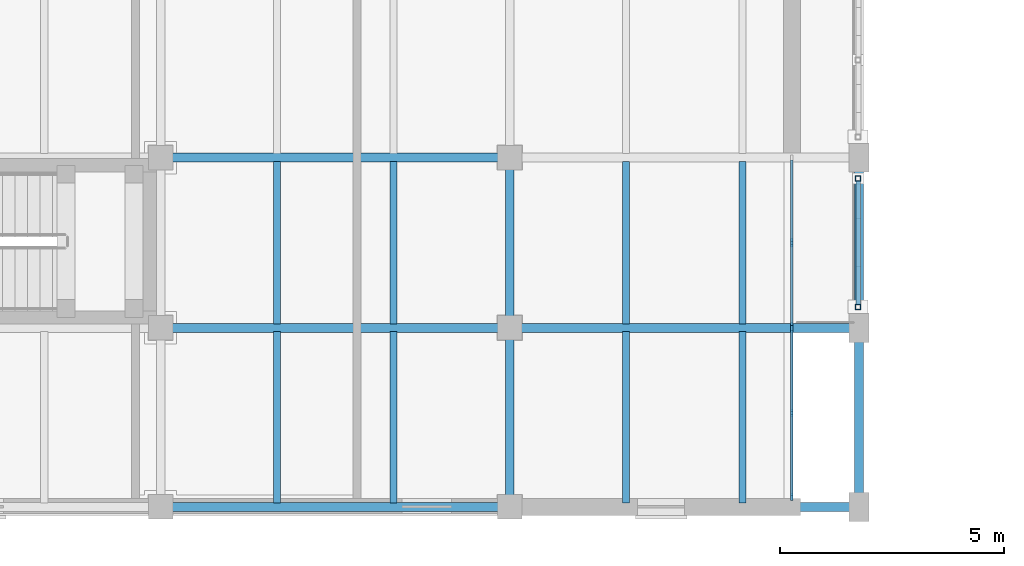
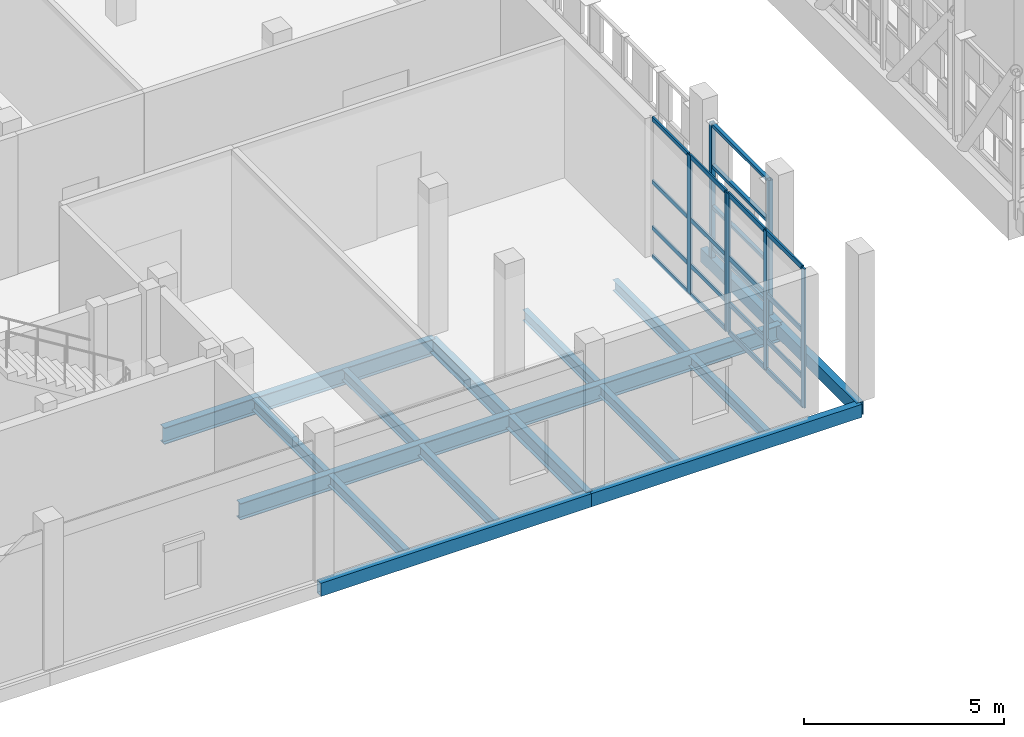
# One storey, part 20 of 119: 27 members, 17 beams, 2 elements without a shape of their own.
"""IFC4 building model written with IfcOpenShell, lengths in metres."""

import ifcopenshell
import ifcopenshell.guid

model = None  # the IFC model being written
_history = None  # IfcOwnerHistory: only IFC2X3 demands one
_inside = {}  # id of a spatial element -> (the spatial element, [elements in it])
_under = {}  # id of a project, library or spatial element -> (it, [spatial elements below it])
_declared = {}  # id of a project -> (the project, [libraries it declares])
_typed = {}  # id of a type object -> (the type object, [elements of that type])
_made_of = {}  # id of a material, layer set ... -> (it, [elements and type objects made of it])


def new_model(schema):
    """Start an empty IFC model of exactly this schema.

    Asked for "IFC4X3", IfcOpenShell would pick the latest addendum, in which some entities
    have other attributes; the version numbers below select the first issue.
    IFC2X3 requires an IfcOwnerHistory on every rooted entity: one is made here for all.
    """
    global model, _history
    if schema == "IFC4X3":
        model = ifcopenshell.file(schema_version=(4, 3, 0, 0))
    else:
        model = ifcopenshell.file(schema=schema)
    _inside.clear()
    _under.clear()
    _declared.clear()
    _typed.clear()
    _made_of.clear()
    _history = None
    if model.schema == "IFC2X3":
        org = make("IfcOrganization", Name="unknown")
        user = make(
            "IfcPersonAndOrganization",
            ThePerson=make("IfcPerson", FamilyName="unknown"),
            TheOrganization=org,
        )
        app = make(
            "IfcApplication",
            ApplicationDeveloper=org,
            Version="unknown",
            ApplicationFullName="unknown",
            ApplicationIdentifier="unknown",
        )
        _history = make(
            "IfcOwnerHistory",
            OwningUser=user,
            OwningApplication=app,
            ChangeAction="ADDED",
            CreationDate=0,
        )
    return model


def make(cls, **values):
    """One entity of the class cls with the attributes given. An attribute that is None is left unset."""
    return model.create_entity(
        cls, **{name: value for name, value in values.items() if value is not None}
    )


def rooted(cls, **values):
    """An entity with a GlobalId (a new one), such as an element, a storey or a relation."""
    return make(cls, GlobalId=ifcopenshell.guid.new(), OwnerHistory=_history, **values)


def si_unit(unit_type, name, prefix=None):
    """IfcSIUnit, for example si_unit("LENGTHUNIT", "METRE", prefix="MILLI")."""
    return make("IfcSIUnit", UnitType=unit_type, Prefix=prefix, Name=name)


def assignment(units):
    """IfcUnitAssignment: the units of a project."""
    return None if units is None else make("IfcUnitAssignment", Units=units)


def point(xyz):
    """IfcCartesianPoint."""
    return None if xyz is None else make("IfcCartesianPoint", Coordinates=xyz)


def direction(xyz):
    """IfcDirection."""
    return None if xyz is None else make("IfcDirection", DirectionRatios=xyz)


def frame(location, z_axis=None, x_axis=None):
    """IfcAxis2Placement3D, a coordinate frame: its origin and axes. An axis left out is left unset."""
    return make(
        "IfcAxis2Placement3D",
        Location=point(location),
        Axis=direction(z_axis),
        RefDirection=direction(x_axis),
    )


def frame_2d(location, x_axis=None):
    """IfcAxis2Placement2D, a coordinate frame in the plane: its origin and x axis."""
    return make(
        "IfcAxis2Placement2D", Location=point(location), RefDirection=direction(x_axis)
    )


def origin():
    """The frame at (0, 0, 0) with its axes left unset."""
    return frame((0.0, 0.0, 0.0))


def origin_2d():
    """The frame at (0, 0) in the plane with its x axis left unset."""
    return frame_2d((0.0, 0.0))


def place(relative_to, where):
    """IfcLocalPlacement: puts the frame where relative to a parent placement (None: the world)."""
    return make(
        "IfcLocalPlacement", PlacementRelTo=relative_to, RelativePlacement=where
    )


def context(
    kind, dimensions, precision=None, world=None, true_north=None, identifier=None
):
    """IfcGeometricRepresentationContext, for example the 3D "Model" context."""
    return make(
        "IfcGeometricRepresentationContext",
        ContextIdentifier=identifier,
        ContextType=kind,
        CoordinateSpaceDimension=dimensions,
        Precision=precision,
        WorldCoordinateSystem=world,
        TrueNorth=true_north,
    )


def subcontext(parent, identifier, kind, view, scale=None):
    """IfcGeometricRepresentationSubContext, for example "Body" below "Model"."""
    return make(
        "IfcGeometricRepresentationSubContext",
        ContextIdentifier=identifier,
        ContextType=kind,
        ParentContext=parent,
        TargetScale=scale,
        TargetView=view,
    )


def project(units=None, contexts=None):
    """IfcProject with its units and contexts."""
    return rooted(
        "IfcProject",
        Name="project",
        RepresentationContexts=contexts,
        UnitsInContext=assignment(units),
    )


def spatial(cls, under=None, at=None, **own):
    """A site, building, storey or space (cls), placed at a placement, below another one or the project."""
    s = rooted(cls, ObjectPlacement=at, **own)
    if under is not None:
        _under.setdefault(under.id(), (under, []))[1].append(s)
    return s


def profile(cls, at=None, kind="AREA", **sizes):
    """A parametric profile (cls). Its sizes go by their IFC names, for example OverallWidth=200.0."""
    return make(cls, ProfileType=kind, Position=at, **sizes)


def rectangle(**sizes):
    """IfcRectangleProfileDef."""
    return profile("IfcRectangleProfileDef", **sizes)


def hollow_rectangle(**sizes):
    """IfcRectangleHollowProfileDef."""
    return profile("IfcRectangleHollowProfileDef", **sizes)


def i_section(**sizes):
    """IfcIShapeProfileDef."""
    return profile("IfcIShapeProfileDef", **sizes)


def extrude(swept, where, along, depth):
    """IfcExtrudedAreaSolid: the profile swept, set in the frame where, extruded along a direction by depth."""
    return make(
        "IfcExtrudedAreaSolid",
        SweptArea=swept,
        Position=where,
        ExtrudedDirection=direction(along),
        Depth=depth,
    )


def shape(context_of_items, identifier, shape_type, items):
    """IfcShapeRepresentation: the items that make up one representation, for example the "Body"."""
    return make(
        "IfcShapeRepresentation",
        ContextOfItems=context_of_items,
        RepresentationIdentifier=identifier,
        RepresentationType=shape_type,
        Items=items,
    )


def material(Name=None, Category=None):
    """IfcMaterial."""
    return make("IfcMaterial", Name=Name, Category=Category)


def layer(
    of_material, thickness, ventilated=None, Name=None, Category=None, Priority=None
):
    """IfcMaterialLayer: one layer of a wall or slab, of a material (None: an air gap)."""
    return make(
        "IfcMaterialLayer",
        Material=of_material,
        LayerThickness=thickness,
        IsVentilated=ventilated,
        Name=Name,
        Category=Category,
        Priority=Priority,
    )


def layer_set(layers, Name=None):
    """IfcMaterialLayerSet."""
    return make("IfcMaterialLayerSet", MaterialLayers=layers, LayerSetName=Name)


def material_profile(
    of_material, cross_section, Name=None, Category=None, Priority=None
):
    """IfcMaterialProfile: a cross section and its material."""
    return make(
        "IfcMaterialProfile",
        Name=Name,
        Material=of_material,
        Profile=cross_section,
        Priority=Priority,
        Category=Category,
    )


def profile_set(profiles, Name=None, composite=None):
    """IfcMaterialProfileSet."""
    return make(
        "IfcMaterialProfileSet",
        Name=Name,
        MaterialProfiles=profiles,
        CompositeProfile=composite,
    )


def made_of(thing, what):
    """Note that an element or type object is made of a material, layer set ...; save() writes the relation."""
    if what is not None:
        _made_of.setdefault(what.id(), (what, []))[1].append(thing)
    return thing


def type_object(cls, material=None, **own):
    """A type object (cls), such as IfcWallType, which elements share."""
    return made_of(rooted(cls, **own), material)


def element(
    cls,
    number,
    at=None,
    inside=None,
    cuts=None,
    type_object=None,
    material=None,
    context=None,
    identifier="Body",
    shape_type=None,
    held_by="IfcProductDefinitionShape",
    body=None,
    shapes=None,
    **own,
):
    """One element of the class cls, such as IfcWall. Its Tag is "e" and its number.

    at: its placement. inside: the storey or other place that contains it. cuts: it is an
    opening in that element (IfcRelVoidsElement). A single representation is given by context,
    identifier, shape_type and body (its items); several are given by shapes. held_by: the class
    of the entity that holds the representations. save() writes the other relations.
    """
    e = rooted(cls, Tag="e%d" % number, ObjectPlacement=at, **own)
    if body is not None:
        shapes = [shape(context, identifier, shape_type, body)]
    if shapes is not None:
        e.Representation = make(held_by, Representations=shapes)
    if inside is not None:
        _inside.setdefault(inside.id(), (inside, []))[1].append(e)
    if cuts is not None:
        rooted(
            "IfcRelVoidsElement", RelatingBuildingElement=cuts, RelatedOpeningElement=e
        )
    if type_object is not None:
        _typed.setdefault(type_object.id(), (type_object, []))[1].append(e)
    return made_of(e, material)


def aggregate(whole, parts):
    """IfcRelAggregates: a whole, such as a stair, and the parts it consists of."""
    return rooted("IfcRelAggregates", RelatingObject=whole, RelatedObjects=parts)


def save(model, path):
    """Write the relations noted so far, then the file.

    IfcRelAggregates (storeys below a building ...), IfcRelContainedInSpatialStructure (elements
    in a storey), IfcRelDefinesByType, IfcRelAssociatesMaterial and IfcRelDeclares: one each for
    every whole, place, type object, material and project.
    """
    for whole, parts in _under.values():
        aggregate(whole, parts)
    for where, things in _inside.values():
        rooted(
            "IfcRelContainedInSpatialStructure",
            RelatedElements=things,
            RelatingStructure=where,
        )
    for kind, things in _typed.values():
        rooted("IfcRelDefinesByType", RelatedObjects=things, RelatingType=kind)
    for what, things in _made_of.values():
        rooted("IfcRelAssociatesMaterial", RelatedObjects=things, RelatingMaterial=what)
    for by, libraries in _declared.values():
        rooted("IfcRelDeclares", RelatingContext=by, RelatedDefinitions=libraries)
    model.write(path)


model = new_model("IFC4")

# Units and contexts
model_context = context("Model", 3, precision=1e-05, world=origin(), true_north=direction((0.0, 1.0)))
body_context = subcontext(model_context, "Body", "Model", "MODEL_VIEW")
ifc_project = project(units=[si_unit("LENGTHUNIT", "METRE"), si_unit("AREAUNIT", "SQUARE_METRE"), si_unit("VOLUMEUNIT", "CUBIC_METRE"), si_unit("PLANEANGLEUNIT", "RADIAN"), si_unit("MASSUNIT", "GRAM", prefix="KILO")], contexts=[model_context])

# Site, building, storey
site_placement = place(None, origin())
site = spatial("IfcSite", under=ifc_project, at=site_placement, CompositionType="ELEMENT")
building_placement = place(site_placement, origin())
building = spatial("IfcBuilding", under=site, at=building_placement, Name="Celorna Specialist Clinic", CompositionType="ELEMENT")
storey_placement = place(building_placement, frame((0.0, 0.0, 9.60009765625)))
storey = spatial("IfcBuildingStorey", under=building, at=storey_placement, Name="L02", CompositionType="ELEMENT", Elevation=9.60009765625)

# Beams
ifc_material_1 = material(Name="Steel S355", Category="steel")
ifc_material_profile_1 = material_profile(ifc_material_1, i_section(OverallWidth=0.199951171875, OverallDepth=0.5, WebThickness=0.01025390625, FlangeThickness=0.01611328125, at=origin_2d()), Name="IPE 500")
ifc_profile_set_1 = profile_set([ifc_material_profile_1], Name="Steel S355")
beam_type_1 = type_object("IfcBeamType", Name="BM-08", PredefinedType="BEAM", material=ifc_profile_set_1)
for number, where, z_axis, x_axis, name in (
    (1, (31.199951171875, 4.0, -0.510009765625), (1.0, 0.0, 0.0), (0.0, 1.0, 0.0), "Primary girder BM-08 #1714"),
    (2, (39.0, 4.0, -0.510009765625), (1.0, 0.0, 0.0), (0.0, 1.0, 0.0), "Primary girder BM-08 #1715"),
    (3, (31.199951171875, 7.800048828125, -0.510009765625), (1.0, 0.0, 0.0), (0.0, 1.0, 0.0), "Primary girder BM-08 #1720"),
):
    element("IfcBeam", number, at=place(storey_placement, frame(where, z_axis=z_axis, x_axis=x_axis)), inside=storey, type_object=beam_type_1, Name=name, PredefinedType="BEAM", context=body_context, shape_type="SweptSolid", body=[
        extrude(i_section(OverallWidth=0.199951171875, OverallDepth=0.5, WebThickness=0.01025390625, FlangeThickness=0.01611328125, at=origin_2d()), origin(), (0.0, 0.0, 1.0), 7.800048828125),
    ])
ifc_material_profile_2 = material_profile(ifc_material_1, i_section(OverallWidth=0.18994140625, OverallDepth=0.449951171875, WebThickness=0.009521484375, FlangeThickness=0.0146484375, at=origin_2d()), Name="IPE 450")
ifc_profile_set_2 = profile_set([ifc_material_profile_2], Name="Steel S355")
beam_type_2 = type_object("IfcBeamType", Name="BM-09", PredefinedType="BEAM", material=ifc_profile_set_2)
beam_1_placement = place(storey_placement, frame((39.0, 0.0, -0.485107421875), z_axis=(0.0, 1.0, 0.0), x_axis=(-1.0, 0.0, 0.0)))
element("IfcBeam", 4, at=beam_1_placement, inside=storey, type_object=beam_type_2, Name="Transverse girder BM-09 #1764", PredefinedType="BEAM", context=body_context, shape_type="SweptSolid", body=[
    extrude(i_section(OverallWidth=0.18994140625, OverallDepth=0.449951171875, WebThickness=0.009521484375, FlangeThickness=0.0146484375, at=origin_2d()), origin(), (0.0, 0.0, 1.0), 4.0),
])
beam_2_placement = place(storey_placement, frame((39.0, 4.0, -0.485107421875), z_axis=(0.0, 1.0, 0.0), x_axis=(-1.0, 0.0, 0.0)))
element("IfcBeam", 5, at=beam_2_placement, inside=storey, type_object=beam_type_2, Name="Transverse girder BM-09 #1765", PredefinedType="BEAM", context=body_context, shape_type="SweptSolid", body=[
    extrude(i_section(OverallWidth=0.18994140625, OverallDepth=0.449951171875, WebThickness=0.009521484375, FlangeThickness=0.0146484375, at=origin_2d()), origin(), (0.0, 0.0, 1.0), 3.800048828125),
])
ifc_material_profile_3 = material_profile(ifc_material_1, i_section(OverallWidth=0.159912109375, OverallDepth=0.330078125, WebThickness=0.007568359375, FlangeThickness=0.011474609375, at=origin_2d()), Name="IPE 330")
ifc_profile_set_3 = profile_set([ifc_material_profile_3], Name="Steel S355")
beam_type_3 = type_object("IfcBeamType", Name="BM-12", PredefinedType="JOIST", material=ifc_profile_set_3)
for number, where, z_axis, x_axis, name in (
    (6, (33.800048828125, 0.087890625, -0.425048828125), (0.0, 1.0, 0.0), (-1.0, 0.0, 0.0), "Secondary floor joist BM-12 #1805"),
    (7, (36.39990234375, 0.087890625, -0.425048828125), (0.0, 1.0, 0.0), (-1.0, 0.0, 0.0), "Secondary floor joist BM-12 #1806"),
):
    element("IfcBeam", number, at=place(storey_placement, frame(where, z_axis=z_axis, x_axis=x_axis)), inside=storey, type_object=beam_type_3, Name=name, PredefinedType="JOIST", context=body_context, shape_type="SweptSolid", body=[
        extrude(i_section(OverallWidth=0.159912109375, OverallDepth=0.330078125, WebThickness=0.007568359375, FlangeThickness=0.011474609375, at=origin_2d()), origin(), (0.0, 0.0, 1.0), 3.82421875),
    ])
for number, where, z_axis, x_axis, name in (
    (8, (33.800048828125, 4.087890625, -0.425048828125), (0.0, 1.0, 0.0), (-1.0, 0.0, 0.0), "Secondary floor joist BM-12 #1807"),
    (9, (36.39990234375, 4.087890625, -0.425048828125), (0.0, 1.0, 0.0), (-1.0, 0.0, 0.0), "Secondary floor joist BM-12 #1808"),
):
    element("IfcBeam", number, at=place(storey_placement, frame(where, z_axis=z_axis, x_axis=x_axis)), inside=storey, type_object=beam_type_3, Name=name, PredefinedType="JOIST", context=body_context, shape_type="SweptSolid", body=[
        extrude(i_section(OverallWidth=0.159912109375, OverallDepth=0.330078125, WebThickness=0.007568359375, FlangeThickness=0.011474609375, at=origin_2d()), origin(), (0.0, 0.0, 1.0), 3.6240234375),
    ])
for number, where, z_axis, x_axis, name in (
    (10, (41.60009765625, 0.087890625, -0.425048828125), (0.0, 1.0, 0.0), (-1.0, 0.0, 0.0), "Secondary floor joist BM-12 #1815"),
    (11, (44.199951171875, 0.087890625, -0.425048828125), (0.0, 1.0, 0.0), (-1.0, 0.0, 0.0), "Secondary floor joist BM-12 #1816"),
):
    element("IfcBeam", number, at=place(storey_placement, frame(where, z_axis=z_axis, x_axis=x_axis)), inside=storey, type_object=beam_type_3, Name=name, PredefinedType="JOIST", context=body_context, shape_type="SweptSolid", body=[
        extrude(i_section(OverallWidth=0.159912109375, OverallDepth=0.330078125, WebThickness=0.007568359375, FlangeThickness=0.011474609375, at=origin_2d()), origin(), (0.0, 0.0, 1.0), 3.82421875),
    ])
for number, where, z_axis, x_axis, name in (
    (12, (41.60009765625, 4.087890625, -0.425048828125), (0.0, 1.0, 0.0), (-1.0, 0.0, 0.0), "Secondary floor joist BM-12 #1817"),
    (13, (44.199951171875, 4.087890625, -0.425048828125), (0.0, 1.0, 0.0), (-1.0, 0.0, 0.0), "Secondary floor joist BM-12 #1818"),
):
    element("IfcBeam", number, at=place(storey_placement, frame(where, z_axis=z_axis, x_axis=x_axis)), inside=storey, type_object=beam_type_3, Name=name, PredefinedType="JOIST", context=body_context, shape_type="SweptSolid", body=[
        extrude(i_section(OverallWidth=0.159912109375, OverallDepth=0.330078125, WebThickness=0.007568359375, FlangeThickness=0.011474609375, at=origin_2d()), origin(), (0.0, 0.0, 1.0), 3.6240234375),
    ])
ifc_material_profile_4 = material_profile(ifc_material_1, hollow_rectangle(XDim=0.199951171875, YDim=0.39990234375, WallThickness=0.011962890625, at=origin_2d()), Name="RHS 200x400x12")
ifc_profile_set_4 = profile_set([ifc_material_profile_4], Name="Steel S355")
beam_type_4 = type_object("IfcBeamType", Name="BM-15", PredefinedType="SPANDREL", material=ifc_profile_set_4)
for number, where, z_axis, x_axis, name in (
    (14, (31.199951171875, 0.0, -0.460205078125), (1.0, 0.0, 0.0), (0.0, 1.0, 0.0), "Spandrel beam BM-15 #1708"),
    (15, (39.0, 0.0, -0.460205078125), (1.0, 0.0, 0.0), (0.0, 1.0, 0.0), "Spandrel beam BM-15 #1709"),
):
    element("IfcBeam", number, at=place(storey_placement, frame(where, z_axis=z_axis, x_axis=x_axis)), inside=storey, type_object=beam_type_4, Name=name, PredefinedType="SPANDREL", context=body_context, shape_type="SweptSolid", body=[
        extrude(hollow_rectangle(XDim=0.199951171875, YDim=0.39990234375, WallThickness=0.011962890625, at=origin_2d()), origin(), (0.0, 0.0, 1.0), 7.800048828125),
    ])
beam_3_placement = place(storey_placement, frame((46.800048828125, 0.0, -0.460205078125), z_axis=(0.0, 1.0, 0.0), x_axis=(-1.0, 0.0, 0.0)))
element("IfcBeam", 16, at=beam_3_placement, inside=storey, type_object=beam_type_4, Name="Spandrel beam BM-15 #1769", PredefinedType="SPANDREL", context=body_context, shape_type="SweptSolid", body=[
    extrude(hollow_rectangle(XDim=0.199951171875, YDim=0.39990234375, WallThickness=0.011962890625, at=origin_2d()), origin(), (0.0, 0.0, 1.0), 4.0),
])
beam_4_placement = place(storey_placement, frame((46.800048828125, 4.0, -0.460205078125), z_axis=(0.0, 1.0, 0.0), x_axis=(-1.0, 0.0, 0.0)))
element("IfcBeam", 17, at=beam_4_placement, inside=storey, type_object=beam_type_4, Name="Spandrel beam BM-15 #1770", PredefinedType="SPANDREL", context=body_context, shape_type="SweptSolid", body=[
    extrude(hollow_rectangle(XDim=0.199951171875, YDim=0.39990234375, WallThickness=0.011962890625, at=origin_2d()), origin(), (0.0, 0.0, 1.0), 3.800048828125),
])

# Members
ifc_material_profile_5 = material_profile(ifc_material_1, hollow_rectangle(XDim=0.1201171875, YDim=0.1201171875, WallThickness=0.008056640625, at=origin_2d()), Name="SHS 120x120x8")
ifc_profile_set_5 = profile_set([ifc_material_profile_5], Name="Steel S355")
member_type_1 = type_object("IfcMemberType", Name="MB-11", PredefinedType="STUD", material=ifc_profile_set_5)
for number, where, z_axis, x_axis, name in (
    (18, (46.780029296875, 4.465087890625, -0.360107421875), (0.0, 0.0, 1.0), (1.0, 0.0, 0.0), "Perforated screen steel post #1672"),
    (19, (46.780029296875, 7.3349609375, -0.360107421875), (0.0, 0.0, 1.0), (1.0, 0.0, 0.0), "Perforated screen steel post #1673"),
):
    element("IfcMember", number, at=place(storey_placement, frame(where, z_axis=z_axis, x_axis=x_axis)), inside=storey, type_object=member_type_1, Name=name, PredefinedType="STUD", context=body_context, shape_type="SweptSolid", body=[
        extrude(hollow_rectangle(XDim=0.1201171875, YDim=0.1201171875, WallThickness=0.008056640625, at=origin_2d()), origin(), (0.0, 0.0, 1.0), 4.199951171875),
    ])
ifc_material_profile_6 = material_profile(ifc_material_1, hollow_rectangle(XDim=0.10009765625, YDim=0.10009765625, WallThickness=0.006103515625, at=origin_2d()), Name="SHS 100x100x6")
ifc_profile_set_6 = profile_set([ifc_material_profile_6], Name="Steel S355")
member_type_2 = type_object("IfcMemberType", Name="MB-12", PredefinedType="STUD", material=ifc_profile_set_6)
for number, where, z_axis, x_axis, name in (
    (20, (46.780029296875, 4.52490234375, 0.0498046875), (0.0, 1.0, 0.0), (-1.0, 0.0, 0.0), "Perforated screen rail #1674"),
    (21, (46.780029296875, 4.52490234375, 1.296630859375), (0.0, 1.0, 0.0), (-1.0, 0.0, 0.0), "Perforated screen rail #1675"),
    (22, (46.780029296875, 4.52490234375, 2.543212890625), (0.0, 1.0, 0.0), (-1.0, 0.0, 0.0), "Perforated screen rail #1676"),
    (23, (46.780029296875, 4.52490234375, 3.789794921875), (0.0, 1.0, 0.0), (-1.0, 0.0, 0.0), "Perforated screen rail #1677"),
):
    element("IfcMember", number, at=place(storey_placement, frame(where, z_axis=z_axis, x_axis=x_axis)), inside=storey, type_object=member_type_2, Name=name, PredefinedType="STUD", context=body_context, shape_type="SweptSolid", body=[
        extrude(hollow_rectangle(XDim=0.10009765625, YDim=0.10009765625, WallThickness=0.006103515625, at=origin_2d()), origin(), (0.0, 0.0, 1.0), 2.75),
    ])

# Curtain wall, members
ifc_material_2 = material(Name="Thermally broken aluminium and solar-control glass curtain wall", Category="aluminium")
ifc_layer_1 = layer(ifc_material_2, 0.159912109375, Name="Thermally broken aluminium and solar-control glass curtain wall")
ifc_layer_set_1 = layer_set([ifc_layer_1], Name="Thermally broken aluminium and solar-control glass curtain wall")
curtain_wall_type_1 = type_object("IfcCurtainWallType", Name="CW-91", PredefinedType="NOTDEFINED", material=ifc_layer_set_1)
curtain_wall_1_placement = place(storey_placement, origin())
curtain_wall_1 = element("IfcCurtainWall", 24, at=curtain_wall_1_placement, inside=storey, type_object=curtain_wall_type_1, Name="Curtain wall CW-91 #166", PredefinedType="NOTDEFINED")
ifc_material_3 = material(Name="Anodized aluminium mullion", Category="aluminium")
ifc_material_profile_7 = material_profile(ifc_material_3, rectangle(XDim=0.050048828125, YDim=0.159912109375, at=origin_2d()), Name="ALU MULLION 50x160")
ifc_profile_set_7 = profile_set([ifc_material_profile_7], Name="Anodized aluminium mullion")
member_type_3 = type_object("IfcMemberType", Name="ML-01", PredefinedType="MULLION", material=ifc_profile_set_7)
member_1_placement = place(storey_placement, frame((45.300048828125, 3.970947265625, 0.0), z_axis=(0.0, 0.0, 1.0), x_axis=(1.0, 0.0, 0.0)))
member_1 = element("IfcMember", 25, at=member_1_placement, type_object=member_type_3, Name="CW-91 mullion 1", PredefinedType="MULLION", context=body_context, shape_type="SweptSolid", body=[
    extrude(rectangle(XDim=0.050048828125, YDim=0.159912109375, at=origin_2d()), origin(), (0.0, 0.0, 1.0), 4.239990234375),
])
member_2_placement = place(storey_placement, frame((45.300048828125, 2.094970703125, 0.0), z_axis=(0.0, 0.0, 1.0), x_axis=(1.0, 0.0, 0.0)))
member_2 = element("IfcMember", 26, at=member_2_placement, type_object=member_type_3, Name="CW-91 mullion 2", PredefinedType="MULLION", context=body_context, shape_type="SweptSolid", body=[
    extrude(rectangle(XDim=0.050048828125, YDim=0.159912109375, at=origin_2d()), origin(), (0.0, 0.0, 1.0), 4.239990234375),
])
member_3_placement = place(storey_placement, frame((45.300048828125, 0.218994140625, 0.0), z_axis=(0.0, 0.0, 1.0), x_axis=(1.0, 0.0, 0.0)))
member_3 = element("IfcMember", 27, at=member_3_placement, type_object=member_type_3, Name="CW-91 mullion 3", PredefinedType="MULLION", context=body_context, shape_type="SweptSolid", body=[
    extrude(rectangle(XDim=0.050048828125, YDim=0.159912109375, at=origin_2d()), origin(), (0.0, 0.0, 1.0), 4.239990234375),
])

ifc_layer_2 = layer(ifc_material_2, 0.159912109375, Name="Thermally broken aluminium and solar-control glass curtain wall")
ifc_layer_set_2 = layer_set([ifc_layer_2], Name="Thermally broken aluminium and solar-control glass curtain wall")
curtain_wall_type_2 = type_object("IfcCurtainWallType", Name="CW-92", PredefinedType="NOTDEFINED", material=ifc_layer_set_2)
curtain_wall_2_placement = place(storey_placement, origin())
curtain_wall_2 = element("IfcCurtainWall", 28, at=curtain_wall_2_placement, inside=storey, type_object=curtain_wall_type_2, Name="Curtain wall CW-92 #167", PredefinedType="NOTDEFINED")
ifc_material_profile_8 = material_profile(ifc_material_3, rectangle(XDim=0.050048828125, YDim=0.179931640625, at=origin_2d()), Name="ALU MULLION 50x180")
ifc_profile_set_8 = profile_set([ifc_material_profile_8], Name="Anodized aluminium mullion")
member_type_4 = type_object("IfcMemberType", Name="ML-02", PredefinedType="MULLION", material=ifc_profile_set_8)
member_4_placement = place(storey_placement, frame((45.300048828125, 5.89990234375, 0.0), z_axis=(0.0, 0.0, 1.0), x_axis=(1.0, 0.0, 0.0)))
member_4 = element("IfcMember", 29, at=member_4_placement, type_object=member_type_4, Name="CW-92 mullion 2", PredefinedType="MULLION", context=body_context, shape_type="SweptSolid", body=[
    extrude(rectangle(XDim=0.050048828125, YDim=0.179931640625, at=origin_2d()), origin(), (0.0, 0.0, 1.0), 4.239990234375),
])
member_5_placement = place(storey_placement, frame((45.300048828125, 4.029052734375, 0.0), z_axis=(0.0, 0.0, 1.0), x_axis=(1.0, 0.0, 0.0)))
member_5 = element("IfcMember", 30, at=member_5_placement, type_object=member_type_4, Name="CW-92 mullion 3", PredefinedType="MULLION", context=body_context, shape_type="SweptSolid", body=[
    extrude(rectangle(XDim=0.050048828125, YDim=0.179931640625, at=origin_2d()), origin(), (0.0, 0.0, 1.0), 4.239990234375),
])
ifc_material_4 = material(Name="Anodized aluminium transom", Category="aluminium")
ifc_material_profile_9 = material_profile(ifc_material_4, rectangle(XDim=0.050048828125, YDim=0.1298828125, at=origin_2d()), Name="ALU TRANSOM 50x130")
ifc_profile_set_9 = profile_set([ifc_material_profile_9], Name="Anodized aluminium transom")
member_type_5 = type_object("IfcMemberType", Name="TR-01", PredefinedType="USERDEFINED", material=ifc_profile_set_9)
member_6_placement = place(storey_placement, frame((45.300048828125, 7.74609375, 0.02490234375), z_axis=(0.0, -1.0, 0.0), x_axis=(1.0, 0.0, 0.0)))
member_6 = element("IfcMember", 31, at=member_6_placement, type_object=member_type_5, Name="CW-92 transom 1.1", ObjectType="TRANSOM", PredefinedType="USERDEFINED", context=body_context, shape_type="SweptSolid", body=[
    extrude(rectangle(XDim=0.050048828125, YDim=0.1298828125, at=origin_2d()), origin(), (0.0, 0.0, 1.0), 1.821044921875),
])
member_7_placement = place(storey_placement, frame((45.300048828125, 7.74609375, 0.89990234375), z_axis=(0.0, -1.0, 0.0), x_axis=(1.0, 0.0, 0.0)))
member_7 = element("IfcMember", 32, at=member_7_placement, type_object=member_type_5, Name="CW-92 transom 1.2", ObjectType="TRANSOM", PredefinedType="USERDEFINED", context=body_context, shape_type="SweptSolid", body=[
    extrude(rectangle(XDim=0.050048828125, YDim=0.1298828125, at=origin_2d()), origin(), (0.0, 0.0, 1.0), 1.821044921875),
])
member_8_placement = place(storey_placement, frame((45.300048828125, 7.74609375, 2.2998046875), z_axis=(0.0, -1.0, 0.0), x_axis=(1.0, 0.0, 0.0)))
member_8 = element("IfcMember", 33, at=member_8_placement, type_object=member_type_5, Name="CW-92 transom 1.3", ObjectType="TRANSOM", PredefinedType="USERDEFINED", context=body_context, shape_type="SweptSolid", body=[
    extrude(rectangle(XDim=0.050048828125, YDim=0.1298828125, at=origin_2d()), origin(), (0.0, 0.0, 1.0), 1.821044921875),
])
member_9_placement = place(storey_placement, frame((45.300048828125, 7.74609375, 4.21484375), z_axis=(0.0, -1.0, 0.0), x_axis=(1.0, 0.0, 0.0)))
member_9 = element("IfcMember", 34, at=member_9_placement, type_object=member_type_5, Name="CW-92 transom 1.4", ObjectType="TRANSOM", PredefinedType="USERDEFINED", context=body_context, shape_type="SweptSolid", body=[
    extrude(rectangle(XDim=0.050048828125, YDim=0.1298828125, at=origin_2d()), origin(), (0.0, 0.0, 1.0), 1.821044921875),
])
member_10_placement = place(storey_placement, frame((45.300048828125, 5.875, 0.02490234375), z_axis=(0.0, -1.0, 0.0), x_axis=(1.0, 0.0, 0.0)))
member_10 = element("IfcMember", 35, at=member_10_placement, type_object=member_type_5, Name="CW-92 transom 2.1", ObjectType="TRANSOM", PredefinedType="USERDEFINED", context=body_context, shape_type="SweptSolid", body=[
    extrude(rectangle(XDim=0.050048828125, YDim=0.1298828125, at=origin_2d()), origin(), (0.0, 0.0, 1.0), 1.821044921875),
])
member_11_placement = place(storey_placement, frame((45.300048828125, 5.875, 0.89990234375), z_axis=(0.0, -1.0, 0.0), x_axis=(1.0, 0.0, 0.0)))
member_11 = element("IfcMember", 36, at=member_11_placement, type_object=member_type_5, Name="CW-92 transom 2.2", ObjectType="TRANSOM", PredefinedType="USERDEFINED", context=body_context, shape_type="SweptSolid", body=[
    extrude(rectangle(XDim=0.050048828125, YDim=0.1298828125, at=origin_2d()), origin(), (0.0, 0.0, 1.0), 1.821044921875),
])
member_12_placement = place(storey_placement, frame((45.300048828125, 5.875, 2.2998046875), z_axis=(0.0, -1.0, 0.0), x_axis=(1.0, 0.0, 0.0)))
member_12 = element("IfcMember", 37, at=member_12_placement, type_object=member_type_5, Name="CW-92 transom 2.3", ObjectType="TRANSOM", PredefinedType="USERDEFINED", context=body_context, shape_type="SweptSolid", body=[
    extrude(rectangle(XDim=0.050048828125, YDim=0.1298828125, at=origin_2d()), origin(), (0.0, 0.0, 1.0), 1.821044921875),
])
member_13_placement = place(storey_placement, frame((45.300048828125, 5.875, 4.21484375), z_axis=(0.0, -1.0, 0.0), x_axis=(1.0, 0.0, 0.0)))
member_13 = element("IfcMember", 38, at=member_13_placement, type_object=member_type_5, Name="CW-92 transom 2.4", ObjectType="TRANSOM", PredefinedType="USERDEFINED", context=body_context, shape_type="SweptSolid", body=[
    extrude(rectangle(XDim=0.050048828125, YDim=0.1298828125, at=origin_2d()), origin(), (0.0, 0.0, 1.0), 1.821044921875),
])
aggregate(curtain_wall_2, [member_4, member_5, member_6, member_7, member_8, member_9, member_10, member_11, member_12, member_13])

# Member
ifc_material_profile_10 = material_profile(ifc_material_4, rectangle(XDim=0.050048828125, YDim=0.14990234375, at=origin_2d()), Name="ALU TRANSOM 50x150")
ifc_profile_set_10 = profile_set([ifc_material_profile_10], Name="Anodized aluminium transom")
member_type_6 = type_object("IfcMemberType", Name="TR-02", PredefinedType="USERDEFINED", material=ifc_profile_set_10)
member_14_placement = place(storey_placement, frame((45.300048828125, 3.946044921875, 0.02490234375), z_axis=(0.0, -1.0, 0.0), x_axis=(1.0, 0.0, 0.0)))
member_14 = element("IfcMember", 39, at=member_14_placement, type_object=member_type_6, Name="CW-91 transom 1.1", ObjectType="TRANSOM", PredefinedType="USERDEFINED", context=body_context, shape_type="SweptSolid", body=[
    extrude(rectangle(XDim=0.050048828125, YDim=0.14990234375, at=origin_2d()), origin(), (0.0, 0.0, 1.0), 1.825927734375),
])

member_15_placement = place(storey_placement, frame((45.300048828125, 3.946044921875, 0.89990234375), z_axis=(0.0, -1.0, 0.0), x_axis=(1.0, 0.0, 0.0)))
member_15 = element("IfcMember", 40, at=member_15_placement, type_object=member_type_6, Name="CW-91 transom 1.2", ObjectType="TRANSOM", PredefinedType="USERDEFINED", context=body_context, shape_type="SweptSolid", body=[
    extrude(rectangle(XDim=0.050048828125, YDim=0.14990234375, at=origin_2d()), origin(), (0.0, 0.0, 1.0), 1.825927734375),
])

member_16_placement = place(storey_placement, frame((45.300048828125, 3.946044921875, 2.2998046875), z_axis=(0.0, -1.0, 0.0), x_axis=(1.0, 0.0, 0.0)))
member_16 = element("IfcMember", 41, at=member_16_placement, type_object=member_type_6, Name="CW-91 transom 1.3", ObjectType="TRANSOM", PredefinedType="USERDEFINED", context=body_context, shape_type="SweptSolid", body=[
    extrude(rectangle(XDim=0.050048828125, YDim=0.14990234375, at=origin_2d()), origin(), (0.0, 0.0, 1.0), 1.825927734375),
])

member_17_placement = place(storey_placement, frame((45.300048828125, 3.946044921875, 4.21484375), z_axis=(0.0, -1.0, 0.0), x_axis=(1.0, 0.0, 0.0)))
member_17 = element("IfcMember", 42, at=member_17_placement, type_object=member_type_6, Name="CW-91 transom 1.4", ObjectType="TRANSOM", PredefinedType="USERDEFINED", context=body_context, shape_type="SweptSolid", body=[
    extrude(rectangle(XDim=0.050048828125, YDim=0.14990234375, at=origin_2d()), origin(), (0.0, 0.0, 1.0), 1.825927734375),
])

member_18_placement = place(storey_placement, frame((45.300048828125, 2.070068359375, 0.02490234375), z_axis=(0.0, -1.0, 0.0), x_axis=(1.0, 0.0, 0.0)))
member_18 = element("IfcMember", 43, at=member_18_placement, type_object=member_type_6, Name="CW-91 transom 2.1", ObjectType="TRANSOM", PredefinedType="USERDEFINED", context=body_context, shape_type="SweptSolid", body=[
    extrude(rectangle(XDim=0.050048828125, YDim=0.14990234375, at=origin_2d()), origin(), (0.0, 0.0, 1.0), 1.826171875),
])

member_19_placement = place(storey_placement, frame((45.300048828125, 2.070068359375, 0.89990234375), z_axis=(0.0, -1.0, 0.0), x_axis=(1.0, 0.0, 0.0)))
member_19 = element("IfcMember", 44, at=member_19_placement, type_object=member_type_6, Name="CW-91 transom 2.2", ObjectType="TRANSOM", PredefinedType="USERDEFINED", context=body_context, shape_type="SweptSolid", body=[
    extrude(rectangle(XDim=0.050048828125, YDim=0.14990234375, at=origin_2d()), origin(), (0.0, 0.0, 1.0), 1.826171875),
])

member_20_placement = place(storey_placement, frame((45.300048828125, 2.070068359375, 2.2998046875), z_axis=(0.0, -1.0, 0.0), x_axis=(1.0, 0.0, 0.0)))
member_20 = element("IfcMember", 45, at=member_20_placement, type_object=member_type_6, Name="CW-91 transom 2.3", ObjectType="TRANSOM", PredefinedType="USERDEFINED", context=body_context, shape_type="SweptSolid", body=[
    extrude(rectangle(XDim=0.050048828125, YDim=0.14990234375, at=origin_2d()), origin(), (0.0, 0.0, 1.0), 1.826171875),
])

member_21_placement = place(storey_placement, frame((45.300048828125, 2.070068359375, 4.21484375), z_axis=(0.0, -1.0, 0.0), x_axis=(1.0, 0.0, 0.0)))
member_21 = element("IfcMember", 46, at=member_21_placement, type_object=member_type_6, Name="CW-91 transom 2.4", ObjectType="TRANSOM", PredefinedType="USERDEFINED", context=body_context, shape_type="SweptSolid", body=[
    extrude(rectangle(XDim=0.050048828125, YDim=0.14990234375, at=origin_2d()), origin(), (0.0, 0.0, 1.0), 1.826171875),
])

aggregate(curtain_wall_1, [member_1, member_2, member_3, member_14, member_15, member_16, member_17, member_18, member_19, member_20, member_21])

save(model, "model.ifc")
